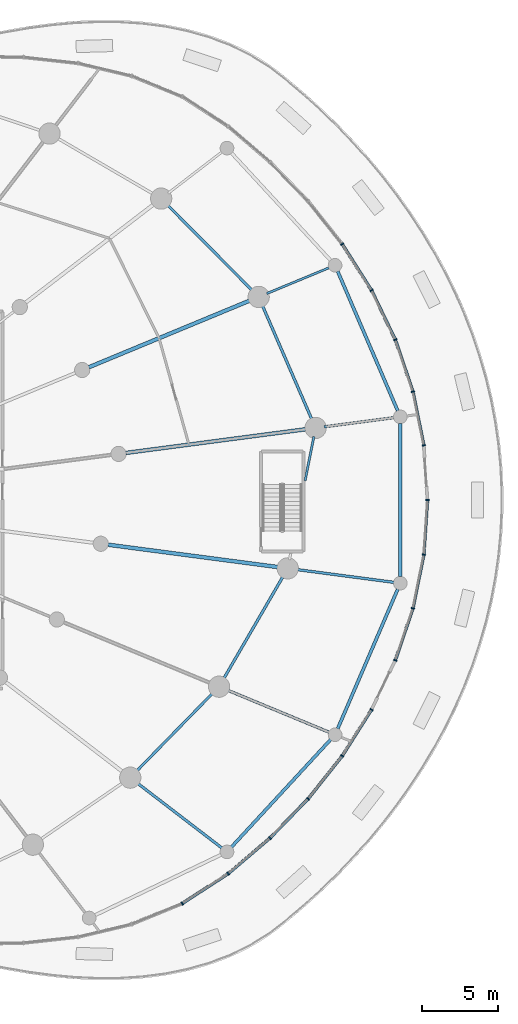
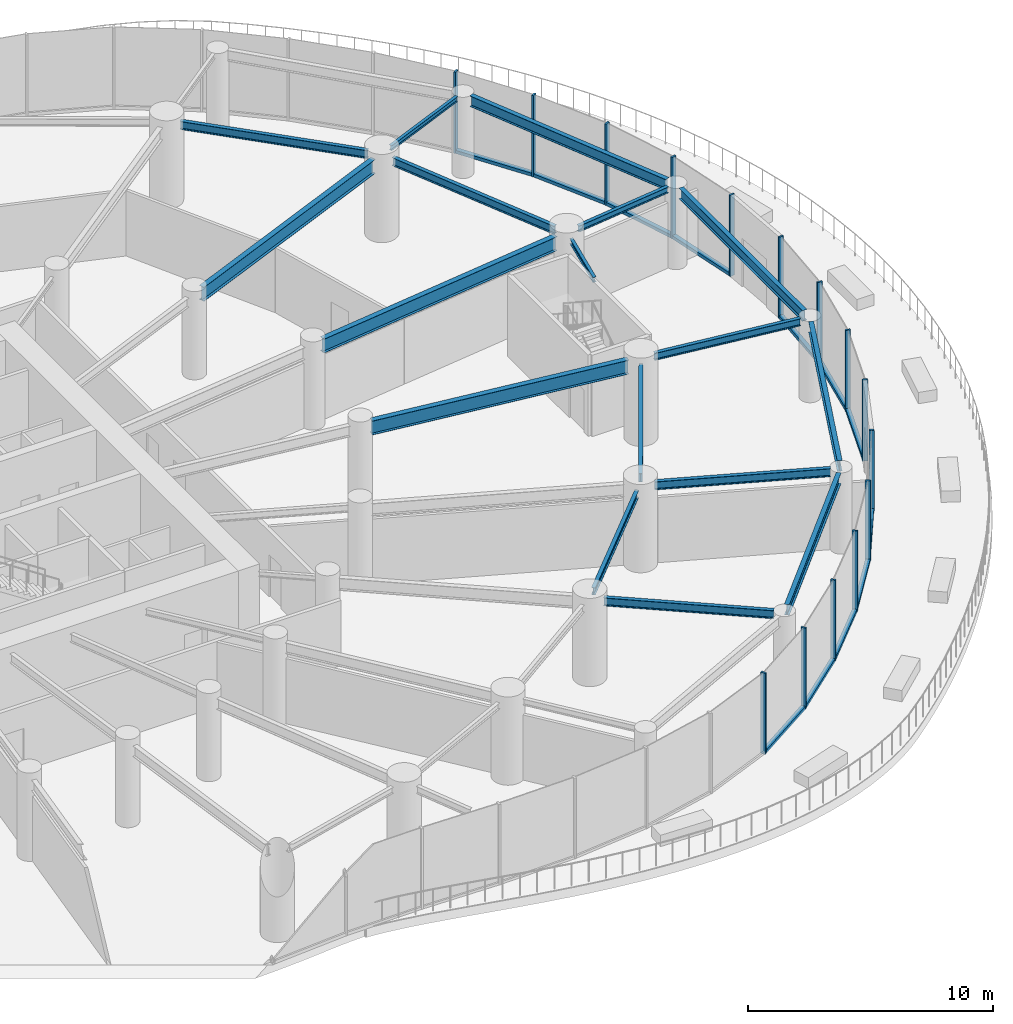
# One storey, part 6 of 19: 27 members, 17 beams, 3 elements without a shape of their own.
"""IFC4 building model written with IfcOpenShell, lengths in metres."""

from ifc_helpers import new_model, si_unit, direction, frame, origin, origin_2d, place, context, subcontext, project, spatial, rectangle, i_section, extrude, source, transform, mapped, material, layer, layer_set, material_profile, profile_set, type_object, element, aggregate, save


model = new_model("IFC4")

# Units and contexts
model_context = context("Model", 3, precision=1e-05, world=origin(), true_north=direction((0.0, 1.0)))
body_context = subcontext(model_context, "Body", "Model", "MODEL_VIEW")
ifc_project = project(units=[si_unit("LENGTHUNIT", "METRE"), si_unit("AREAUNIT", "SQUARE_METRE"), si_unit("VOLUMEUNIT", "CUBIC_METRE"), si_unit("PLANEANGLEUNIT", "RADIAN"), si_unit("MASSUNIT", "GRAM", prefix="KILO")], contexts=[model_context])

# Site, building, storey
site_placement = place(None, origin())
site = spatial("IfcSite", under=ifc_project, at=site_placement, CompositionType="ELEMENT")
building_placement = place(site_placement, origin())
building = spatial("IfcBuilding", under=site, at=building_placement, Name="Spindrift Exchange Tower", CompositionType="ELEMENT")
storey_placement = place(building_placement, frame((0.0, 0.0, 13.800048828125)))
storey = spatial("IfcBuildingStorey", under=building, at=storey_placement, Name="L03", CompositionType="ELEMENT", Elevation=13.800048828125)

# Beams
ifc_material_1 = material(Name="Steel Grade 300", Category="steel")
ifc_material_profile_1 = material_profile(ifc_material_1, i_section(OverallWidth=0.25, OverallDepth=0.699951171875, WebThickness=0.008056640625, FlangeThickness=0.011962890625, at=origin_2d()), Name="700WB115")
ifc_profile_set_1 = profile_set([ifc_material_profile_1], Name="Steel Grade 300")
beam_type_1 = type_object("IfcBeamType", Name="Floor Beam 700WB115 Steel Grade 300", PredefinedType="BEAM", material=ifc_profile_set_1)
shared_shape_1 = source(origin(), body_context, "Body", "SweptSolid", [
    extrude(i_section(OverallWidth=0.25, OverallDepth=0.699951171875, WebThickness=0.008056640625, FlangeThickness=0.011962890625, at=origin_2d()), origin(), (0.0, 0.0, 1.0), 12.00830078125),
])
beam_1_placement = place(storey_placement, frame((75.509765625, 51.09521484375, 3.699951171875), z_axis=(0.991444950947, 0.130525511844, 0.0), x_axis=(-0.130525511844, 0.991444950947, 0.0)))
element("IfcBeam", 1, at=beam_1_placement, inside=storey, type_object=beam_type_1, Name="L03 radial beam R01B", PredefinedType="BEAM", context=body_context, shape_type="MappedRepresentation", body=[
    mapped(shared_shape_1, transform((0.0, 0.0, 0.0), scale=1.0)),
])
ifc_material_profile_2 = material_profile(ifc_material_1, i_section(OverallWidth=0.1650390625, OverallDepth=0.303955078125, WebThickness=0.006103515625, FlangeThickness=0.01025390625, FilletRadius=0.011474609375, at=origin_2d()), Name="310UB40.4")
ifc_profile_set_2 = profile_set([ifc_material_profile_2], Name="Steel Grade 300")
beam_type_2 = type_object("IfcBeamType", Name="Floor Beam 310UB40.4 Steel Grade 300", PredefinedType="BEAM", material=ifc_profile_set_2)
shared_shape_2 = source(origin(), body_context, "Body", "SweptSolid", [
    extrude(i_section(OverallWidth=0.1650390625, OverallDepth=0.303955078125, WebThickness=0.006103515625, FlangeThickness=0.01025390625, FilletRadius=0.011474609375, at=origin_2d()), origin(), (0.0, 0.0, 1.0), 4.613037109375),
])
beam_2_placement = place(storey_placement, frame((88.5654296875, 52.81396484375, 3.89794921875), z_axis=(0.991446547774, 0.130513382096, 0.0), x_axis=(-0.130513382096, 0.991446547774, 0.0)))
element("IfcBeam", 2, at=beam_2_placement, inside=storey, type_object=beam_type_2, Name="L03 radial beam R01C1", PredefinedType="BEAM", context=body_context, shape_type="MappedRepresentation", body=[
    mapped(shared_shape_2, transform((0.0, 0.0, 0.0), scale=1.0)),
])
shared_shape_3 = source(origin(), body_context, "Body", "SweptSolid", [
    extrude(i_section(OverallWidth=0.25, OverallDepth=0.699951171875, WebThickness=0.008056640625, FlangeThickness=0.011962890625, at=origin_2d()), origin(), (0.0, 0.0, 1.0), 11.505859375),
])
beam_3_placement = place(storey_placement, frame((73.082763671875, 56.73291015625, 3.699951171875), z_axis=(0.923881578419, 0.38267849307, 0.0), x_axis=(-0.38267849307, 0.923881578419, 0.0)))
element("IfcBeam", 3, at=beam_3_placement, inside=storey, type_object=beam_type_1, Name="L03 radial beam R02B", PredefinedType="BEAM", context=body_context, shape_type="MappedRepresentation", body=[
    mapped(shared_shape_3, transform((0.0, 0.0, 0.0), scale=1.0)),
])
ifc_material_profile_3 = material_profile(ifc_material_1, i_section(OverallWidth=0.14599609375, OverallDepth=0.251953125, WebThickness=0.006103515625, FlangeThickness=0.008544921875, FilletRadius=0.011962890625, at=origin_2d()), Name="250UB31.4")
ifc_profile_set_3 = profile_set([ifc_material_profile_3], Name="Steel Grade 300")
beam_type_3 = type_object("IfcBeamType", Name="Floor Beam 250UB31.4 Steel Grade 300", PredefinedType="BEAM", material=ifc_profile_set_3)
shared_shape_4 = source(origin(), body_context, "Body", "SweptSolid", [
    extrude(i_section(OverallWidth=0.14599609375, OverallDepth=0.251953125, WebThickness=0.006103515625, FlangeThickness=0.008544921875, FilletRadius=0.011962890625, at=origin_2d()), origin(), (0.0, 0.0, 1.0), 4.429931640625),
])
beam_4_placement = place(storey_placement, frame((84.78466796875, 61.579833984375, 3.924072265625), z_axis=(0.923877119512, 0.382689257808, 0.0), x_axis=(-0.382689257808, 0.923877119512, 0.0)))
element("IfcBeam", 4, at=beam_4_placement, inside=storey, type_object=beam_type_3, Name="L03 radial beam R02C1", PredefinedType="BEAM", context=body_context, shape_type="MappedRepresentation", body=[
    mapped(shared_shape_4, transform((0.0, 0.0, 0.0), scale=1.0)),
])
shared_shape_5 = source(origin(), body_context, "Body", "SweptSolid", [
    extrude(i_section(OverallWidth=0.25, OverallDepth=0.699951171875, WebThickness=0.008056640625, FlangeThickness=0.011962890625, at=origin_2d()), origin(), (0.0, 0.0, 1.0), 11.34423828125),
])
beam_5_placement = place(storey_placement, frame((74.339111328125, 45.05908203125, 3.699951171875), z_axis=(0.991444770187, -0.130526884848, 0.0), x_axis=(0.130526884848, 0.991444770187, 0.0)))
element("IfcBeam", 5, at=beam_5_placement, inside=storey, type_object=beam_type_1, Name="L03 radial beam R24B", PredefinedType="BEAM", context=body_context, shape_type="MappedRepresentation", body=[
    mapped(shared_shape_5, transform((0.0, 0.0, 0.0), scale=1.0)),
])
ifc_material_profile_4 = material_profile(ifc_material_1, i_section(OverallWidth=0.177978515625, OverallDepth=0.406005859375, WebThickness=0.0078125, FlangeThickness=0.0126953125, FilletRadius=0.013916015625, at=origin_2d()), Name="410UB59.7")
ifc_profile_set_4 = profile_set([ifc_material_profile_4], Name="Steel Grade 300")
beam_type_4 = type_object("IfcBeamType", Name="Floor Beam 410UB59.7 Steel Grade 300", PredefinedType="BEAM", material=ifc_profile_set_4)
shared_shape_6 = source(origin(), body_context, "Body", "SweptSolid", [
    extrude(i_section(OverallWidth=0.177978515625, OverallDepth=0.406005859375, WebThickness=0.0078125, FlangeThickness=0.0126953125, FilletRadius=0.013916015625, at=origin_2d()), origin(), (0.0, 0.0, 1.0), 7.01171875),
])
beam_6_placement = place(storey_placement, frame((76.2607421875, 29.384033203125, 3.846923828125), z_axis=(0.79334569595, -0.608771391178, 0.0), x_axis=(0.608771391178, 0.79334569595, 0.0)))
element("IfcBeam", 6, at=beam_6_placement, inside=storey, type_object=beam_type_4, Name="L03 radial beam R22C1", PredefinedType="BEAM", context=body_context, shape_type="MappedRepresentation", body=[
    mapped(shared_shape_6, transform((0.0, 0.0, 0.0), scale=1.0)),
])
shared_shape_7 = source(origin(), body_context, "Body", "SweptSolid", [
    extrude(i_section(OverallWidth=0.177978515625, OverallDepth=0.406005859375, WebThickness=0.0078125, FlangeThickness=0.0126953125, FilletRadius=0.013916015625, at=origin_2d()), origin(), (0.0, 0.0, 1.0), 7.248779296875),
])
beam_7_placement = place(storey_placement, frame((82.180419921875, 35.498779296875, 3.846923828125), z_axis=(0.923883012274, -0.382675031368, 0.0), x_axis=(0.382675031368, 0.923883012274, 0.0)))
element("IfcBeam", 7, at=beam_7_placement, inside=storey, type_object=beam_type_4, Name="L03 radial beam R23C1", PredefinedType="BEAM", context=body_context, shape_type="MappedRepresentation", body=[
    mapped(shared_shape_7, transform((0.0, 0.0, 0.0), scale=1.0)),
])
ifc_material_profile_5 = material_profile(ifc_material_1, i_section(OverallWidth=0.172119140625, OverallDepth=0.35888671875, WebThickness=0.008056640625, FlangeThickness=0.012939453125, FilletRadius=0.013916015625, at=origin_2d()), Name="360UB56.7")
ifc_profile_set_5 = profile_set([ifc_material_profile_5], Name="Steel Grade 300")
beam_type_5 = type_object("IfcBeamType", Name="Floor Beam 360UB56.7 Steel Grade 300", PredefinedType="BEAM", material=ifc_profile_set_5)
shared_shape_8 = source(origin(), body_context, "Body", "SweptSolid", [
    extrude(i_section(OverallWidth=0.172119140625, OverallDepth=0.35888671875, WebThickness=0.008056640625, FlangeThickness=0.012939453125, FilletRadius=0.013916015625, at=origin_2d()), origin(), (0.0, 0.0, 1.0), 6.4580078125),
])
beam_8_placement = place(storey_placement, frame((86.736083984375, 43.427001953125, 3.870361328125), z_axis=(0.99144348369, -0.13053665634, 0.0), x_axis=(0.13053665634, 0.99144348369, 0.0)))
element("IfcBeam", 8, at=beam_8_placement, inside=storey, type_object=beam_type_5, Name="L03 radial beam R24C1", PredefinedType="BEAM", context=body_context, shape_type="MappedRepresentation", body=[
    mapped(shared_shape_8, transform((0.0, 0.0, 0.0), scale=1.0)),
])
ifc_material_profile_6 = material_profile(ifc_material_1, i_section(OverallWidth=0.177978515625, OverallDepth=0.406005859375, WebThickness=0.0078125, FlangeThickness=0.0126953125, FilletRadius=0.013916015625, at=origin_2d()), Name="410UB59.7")
ifc_profile_set_6 = profile_set([ifc_material_profile_6], Name="Steel Grade 300")
beam_type_6 = type_object("IfcBeamType", Name="Edge Beam 410UB59.7 Steel Grade 300", PredefinedType="SPANDREL", material=ifc_profile_set_6)
shared_shape_9 = source(origin(), body_context, "Body", "SweptSolid", [
    extrude(i_section(OverallWidth=0.177978515625, OverallDepth=0.406005859375, WebThickness=0.0078125, FlangeThickness=0.0126953125, FilletRadius=0.013916015625, at=origin_2d()), origin(), (0.0, 0.0, 1.0), 8.23681640625),
])
beam_9_placement = place(storey_placement, frame((87.759521484375, 53.270263671875, 3.846923828125), z_axis=(-0.398186298756, 0.91730456855, 0.0), x_axis=(-0.91730456855, -0.398186298756, 0.0)))
element("IfcBeam", 9, at=beam_9_placement, inside=storey, type_object=beam_type_6, Name="L03 edge beam E01", PredefinedType="SPANDREL", context=body_context, shape_type="MappedRepresentation", body=[
    mapped(shared_shape_9, transform((0.0, 0.0, 0.0), scale=1.0)),
])
shared_shape_10 = source(origin(), body_context, "Body", "SweptSolid", [
    extrude(i_section(OverallWidth=0.177978515625, OverallDepth=0.406005859375, WebThickness=0.0078125, FlangeThickness=0.0126953125, FilletRadius=0.013916015625, at=origin_2d()), origin(), (0.0, 0.0, 1.0), 7.947509765625),
])
beam_10_placement = place(storey_placement, frame((83.840576171875, 61.769775390625, 3.846923828125), z_axis=(-0.704197895271, 0.710003749494, 0.0), x_axis=(-0.710003749494, -0.704197895271, 0.0)))
element("IfcBeam", 10, at=beam_10_placement, inside=storey, type_object=beam_type_6, Name="L03 edge beam E02", PredefinedType="SPANDREL", context=body_context, shape_type="MappedRepresentation", body=[
    mapped(shared_shape_10, transform((0.0, 0.0, 0.0), scale=1.0)),
])
ifc_material_profile_7 = material_profile(ifc_material_1, i_section(OverallWidth=0.172119140625, OverallDepth=0.35888671875, WebThickness=0.008056640625, FlangeThickness=0.012939453125, FilletRadius=0.013916015625, at=origin_2d()), Name="360UB56.7")
ifc_profile_set_7 = profile_set([ifc_material_profile_7], Name="Steel Grade 300")
beam_type_7 = type_object("IfcBeamType", Name="Edge Beam 360UB56.7 Steel Grade 300", PredefinedType="SPANDREL", material=ifc_profile_set_7)
shared_shape_11 = source(origin(), body_context, "Body", "SweptSolid", [
    extrude(i_section(OverallWidth=0.172119140625, OverallDepth=0.35888671875, WebThickness=0.008056640625, FlangeThickness=0.012939453125, FilletRadius=0.013916015625, at=origin_2d()), origin(), (0.0, 0.0, 1.0), 7.2041015625),
])
beam_11_placement = place(storey_placement, frame((76.205810546875, 30.152099609375, 3.870361328125), z_axis=(0.698703626006, 0.715411240481, 0.0), x_axis=(-0.715411240481, 0.698703626006, 0.0)))
element("IfcBeam", 11, at=beam_11_placement, inside=storey, type_object=beam_type_7, Name="L03 edge beam E22", PredefinedType="SPANDREL", context=body_context, shape_type="MappedRepresentation", body=[
    mapped(shared_shape_11, transform((0.0, 0.0, 0.0), scale=1.0)),
])
shared_shape_12 = source(origin(), body_context, "Body", "SweptSolid", [
    extrude(i_section(OverallWidth=0.177978515625, OverallDepth=0.406005859375, WebThickness=0.0078125, FlangeThickness=0.0126953125, FilletRadius=0.013916015625, at=origin_2d()), origin(), (0.0, 0.0, 1.0), 7.837646484375),
])
beam_12_placement = place(storey_placement, frame((81.935791015625, 36.222412109375, 3.846923828125), z_axis=(0.50198145655, 0.864878382942, 0.0), x_axis=(-0.864878382942, 0.50198145655, 0.0)))
element("IfcBeam", 12, at=beam_12_placement, inside=storey, type_object=beam_type_6, Name="L03 edge beam E23", PredefinedType="SPANDREL", context=body_context, shape_type="MappedRepresentation", body=[
    mapped(shared_shape_12, transform((0.0, 0.0, 0.0), scale=1.0)),
])
ifc_material_profile_8 = material_profile(ifc_material_1, i_section(OverallWidth=0.14599609375, OverallDepth=0.251953125, WebThickness=0.006103515625, FlangeThickness=0.008544921875, FilletRadius=0.011962890625, at=origin_2d()), Name="250UB31.4")
ifc_profile_set_8 = profile_set([ifc_material_profile_8], Name="Steel Grade 300")
beam_type_8 = type_object("IfcBeamType", Name="Edge Beam 250UB31.4 Steel Grade 300", PredefinedType="SPANDREL", material=ifc_profile_set_8)
shared_shape_13 = source(origin(), body_context, "Body", "SweptSolid", [
    extrude(i_section(OverallWidth=0.14599609375, OverallDepth=0.251953125, WebThickness=0.006103515625, FlangeThickness=0.008544921875, FilletRadius=0.011962890625, at=origin_2d()), origin(), (0.0, 0.0, 1.0), 2.953369140625),
])
beam_13_placement = place(storey_placement, frame((87.303955078125, 49.27197265625, 3.924072265625), z_axis=(0.194255885589, 0.980950891184, 0.0), x_axis=(-0.980950891184, 0.194255885589, 0.0)))
element("IfcBeam", 13, at=beam_13_placement, inside=storey, type_object=beam_type_8, Name="L03 edge beam E24b", PredefinedType="SPANDREL", context=body_context, shape_type="MappedRepresentation", body=[
    mapped(shared_shape_13, transform((0.0, 0.0, 0.0), scale=1.0)),
])
ifc_material_profile_9 = material_profile(ifc_material_1, i_section(OverallWidth=0.208984375, OverallDepth=0.532958984375, WebThickness=0.01025390625, FlangeThickness=0.015625, FilletRadius=0.013916015625, at=origin_2d()), Name="530UB92.4")
ifc_profile_set_9 = profile_set([ifc_material_profile_9], Name="Steel Grade 300")
beam_type_9 = type_object("IfcBeamType", Name="Edge Beam 530UB92.4 Steel Grade 300", PredefinedType="SPANDREL", material=ifc_profile_set_9)
shared_shape_14 = source(origin(), body_context, "Body", "SweptSolid", [
    extrude(i_section(OverallWidth=0.208984375, OverallDepth=0.532958984375, WebThickness=0.01025390625, FlangeThickness=0.015625, FilletRadius=0.013916015625, at=origin_2d()), origin(), (0.0, 0.0, 1.0), 9.99169921875),
])
for number, where, z_axis, x_axis, name in (
    (14, (93.395263671875, 53.8671875, 3.783447265625), (-0.395396223699, 0.918510656598, 0.0), (-0.918510656598, -0.395396223699, 0.0), "L03 cascade edge beam G01"),
    (15, (89.444580078125, 32.955322265625, 3.783447265625), (0.395396223699, 0.918510656598, 0.0), (-0.918510656598, 0.395396223699, 0.0), "L03 cascade edge beam G23"),
):
    element("IfcBeam", number, at=place(storey_placement, frame(where, z_axis=z_axis, x_axis=x_axis)), inside=storey, type_object=beam_type_9, Name=name, PredefinedType="SPANDREL", context=body_context, shape_type="MappedRepresentation", body=[
        mapped(shared_shape_14, transform((0.0, 0.0, 0.0), scale=1.0)),
    ])
shared_shape_15 = source(origin(), body_context, "Body", "SweptSolid", [
    extrude(i_section(OverallWidth=0.208984375, OverallDepth=0.532958984375, WebThickness=0.01025390625, FlangeThickness=0.015625, FilletRadius=0.013916015625, at=origin_2d()), origin(), (0.0, 0.0, 1.0), 9.62548828125),
])
beam_14_placement = place(storey_placement, frame((82.456298828125, 25.169921875, 3.783447265625), z_axis=(0.678088348465, 0.734980402239, 0.0), x_axis=(-0.734980402239, 0.678088348465, 0.0)))
element("IfcBeam", 16, at=beam_14_placement, inside=storey, type_object=beam_type_9, Name="L03 cascade edge beam G22", PredefinedType="SPANDREL", context=body_context, shape_type="MappedRepresentation", body=[
    mapped(shared_shape_15, transform((0.0, 0.0, 0.0), scale=1.0)),
])
shared_shape_16 = source(origin(), body_context, "Body", "SweptSolid", [
    extrude(i_section(OverallWidth=0.208984375, OverallDepth=0.532958984375, WebThickness=0.01025390625, FlangeThickness=0.015625, FilletRadius=0.013916015625, at=origin_2d()), origin(), (0.0, 0.0, 1.0), 10.08447265625),
])
beam_15_placement = place(storey_placement, frame((93.565185546875, 42.957763671875, 3.783447265625), z_axis=(0.0, 1.0, 0.0), x_axis=(-1.0, 0.0, 0.0)))
element("IfcBeam", 17, at=beam_15_placement, inside=storey, type_object=beam_type_9, Name="L03 cascade edge beam G24", PredefinedType="SPANDREL", context=body_context, shape_type="MappedRepresentation", body=[
    mapped(shared_shape_16, transform((0.0, 0.0, 0.0), scale=1.0)),
])

# Curtain wall, member
ifc_material_2 = material(Name="Fritted laminated glass with bronze frame", Category="glass")
ifc_layer = layer(ifc_material_2, 0.219970703125)
ifc_layer_set = layer_set([ifc_layer], Name="PODIUM BRONZE GLAZED WALL")
curtain_wall_type = type_object("IfcCurtainWallType", Name="PODIUM BRONZE GLAZED WALL", PredefinedType="NOTDEFINED", material=ifc_layer_set)
curtain_wall_1_placement = place(storey_placement, origin())
curtain_wall_1 = element("IfcCurtainWall", 18, at=curtain_wall_1_placement, inside=storey, type_object=curtain_wall_type, Name="L03 Podium Bronze Glazed Wall run 10", PredefinedType="NOTDEFINED")
ifc_material_3 = material(Name="Bronze anodised aluminium", Category="aluminium")
ifc_material_profile_10 = material_profile(ifc_material_3, rectangle(XDim=0.199951171875, YDim=0.159912109375, at=origin_2d()), Name="PODIUM BRONZE GLAZED WALL TRANSOM 200X160")
ifc_profile_set_10 = profile_set([ifc_material_profile_10], Name="Bronze anodised aluminium")
member_type_1 = type_object("IfcMemberType", Name="PODIUM BRONZE GLAZED WALL TRANSOM 200X160", PredefinedType="USERDEFINED", material=ifc_profile_set_10)
shared_shape_17 = source(origin(), body_context, "Body", "SweptSolid", [
    extrude(rectangle(XDim=0.199951171875, YDim=0.159912109375, at=origin_2d()), origin(), (0.0, 0.0, 1.0), 3.510498046875),
])
member_1_placement = place(storey_placement, frame((79.257568359375, 21.488037109375, 0.079833984375), z_axis=(0.83922292963, 0.543787526873, 0.0), x_axis=(-0.543787526873, 0.83922292963, 0.0)))
member_1 = element("IfcMember", 19, at=member_1_placement, type_object=member_type_1, Name="L03 transom CW-P.55", ObjectType="TRANSOM", PredefinedType="USERDEFINED", context=body_context, shape_type="MappedRepresentation", body=[
    mapped(shared_shape_17, transform((0.0, 0.0, 0.0), scale=1.0)),
])

curtain_wall_2_placement = place(storey_placement, origin())
curtain_wall_2 = element("IfcCurtainWall", 20, at=curtain_wall_2_placement, inside=storey, type_object=curtain_wall_type, Name="L03 Podium Bronze Glazed Wall run 1", PredefinedType="NOTDEFINED")
shared_shape_18 = source(origin(), body_context, "Body", "SweptSolid", [
    extrude(rectangle(XDim=0.199951171875, YDim=0.159912109375, at=origin_2d()), origin(), (0.0, 0.0, 1.0), 3.513671875),
])
member_2_placement = place(storey_placement, frame((95.098388671875, 51.639892578125, 0.079833984375), z_axis=(-0.198026545252, 0.980196657501, 0.0), x_axis=(-0.980196657501, -0.198026545252, 0.0)))
member_2 = element("IfcMember", 21, at=member_2_placement, type_object=member_type_1, Name="L03 transom CW-P.2", ObjectType="TRANSOM", PredefinedType="USERDEFINED", context=body_context, shape_type="MappedRepresentation", body=[
    mapped(shared_shape_18, transform((0.0, 0.0, 0.0), scale=1.0)),
])

curtain_wall_3_placement = place(storey_placement, origin())
curtain_wall_3 = element("IfcCurtainWall", 22, at=curtain_wall_3_placement, inside=storey, type_object=curtain_wall_type, Name="L03 Podium Bronze Glazed Wall run 11", PredefinedType="NOTDEFINED")
member_3_placement = place(storey_placement, frame((94.402587890625, 40.916015625, 0.079833984375), z_axis=(0.198026545252, 0.980196657501, 0.0), x_axis=(-0.980196657501, 0.198026545252, 0.0)))
member_3 = element("IfcMember", 23, at=member_3_placement, type_object=member_type_1, Name="L03 transom CW-P.62", ObjectType="TRANSOM", PredefinedType="USERDEFINED", context=body_context, shape_type="MappedRepresentation", body=[
    mapped(shared_shape_18, transform((0.0, 0.0, 0.0), scale=1.0)),
])

# Member
ifc_material_profile_11 = material_profile(ifc_material_3, rectangle(XDim=0.090087890625, YDim=0.219970703125, at=origin_2d()), Name="PODIUM BRONZE GLAZED WALL MULLION 90X220")
ifc_profile_set_11 = profile_set([ifc_material_profile_11], Name="Bronze anodised aluminium")
member_type_2 = type_object("IfcMemberType", Name="PODIUM BRONZE GLAZED WALL MULLION 90X220", PredefinedType="MULLION", material=ifc_profile_set_11)
shared_shape_19 = source(origin(), body_context, "Body", "SweptSolid", [
    extrude(rectangle(XDim=0.090087890625, YDim=0.219970703125, at=origin_2d()), origin(), (0.0, 0.0, 1.0), 4.050048828125),
])
member_4_placement = place(storey_placement, frame((95.35009765625, 48.0, 0.0), z_axis=(0.0, 0.0, 1.0), x_axis=(0.0, 1.0, 0.0)))
member_4 = element("IfcMember", 24, at=member_4_placement, type_object=member_type_2, Name="L03 mullion CW-P.1", PredefinedType="MULLION", context=body_context, shape_type="MappedRepresentation", body=[
    mapped(shared_shape_19, transform((0.0, 0.0, 0.0), scale=1.0)),
])

member_5_placement = place(storey_placement, frame((95.107421875, 51.595703125, 0.0), z_axis=(0.0, 0.0, 1.0), x_axis=(-0.132966281067, 0.991120561839, 0.0)))
member_5 = element("IfcMember", 25, at=member_5_placement, type_object=member_type_2, Name="L03 mullion CW-P.2", PredefinedType="MULLION", context=body_context, shape_type="MappedRepresentation", body=[
    mapped(shared_shape_19, transform((0.0, 0.0, 0.0), scale=1.0)),
])

member_6_placement = place(storey_placement, frame((94.393798828125, 55.128173828125, 0.0), z_axis=(0.0, 0.0, 1.0), x_axis=(-0.260262598648, 0.965537870694, 0.0)))
member_6 = element("IfcMember", 26, at=member_6_placement, type_object=member_type_2, Name="L03 mullion CW-P.3", PredefinedType="MULLION", context=body_context, shape_type="MappedRepresentation", body=[
    mapped(shared_shape_19, transform((0.0, 0.0, 0.0), scale=1.0)),
])

member_7_placement = place(storey_placement, frame((93.235107421875, 58.541015625, 0.0), z_axis=(0.0, 0.0, 1.0), x_axis=(-0.378558940199, 0.925577186838, 0.0)))
member_7 = element("IfcMember", 27, at=member_7_placement, type_object=member_type_2, Name="L03 mullion CW-P.4", PredefinedType="MULLION", context=body_context, shape_type="MappedRepresentation", body=[
    mapped(shared_shape_19, transform((0.0, 0.0, 0.0), scale=1.0)),
])

member_8_placement = place(storey_placement, frame((91.669921875, 61.78759765625, 0.0), z_axis=(0.0, 0.0, 1.0), x_axis=(-0.485262561436, 0.874368484375, 0.0)))
member_8 = element("IfcMember", 28, at=member_8_placement, type_object=member_type_2, Name="L03 mullion CW-P.5", PredefinedType="MULLION", context=body_context, shape_type="MappedRepresentation", body=[
    mapped(shared_shape_19, transform((0.0, 0.0, 0.0), scale=1.0)),
])

member_9_placement = place(storey_placement, frame((89.74267578125, 64.833740234375, 0.0), z_axis=(0.0, 0.0, 1.0), x_axis=(-0.579314632982, 0.815104015456, 0.0)))
member_9 = element("IfcMember", 29, at=member_9_placement, type_object=member_type_2, Name="L03 mullion CW-P.6", PredefinedType="MULLION", context=body_context, shape_type="MappedRepresentation", body=[
    mapped(shared_shape_19, transform((0.0, 0.0, 0.0), scale=1.0)),
])

member_10_placement = place(storey_placement, frame((79.2197265625, 21.46337890625, 0.0), z_axis=(0.0, 0.0, 1.0), x_axis=(0.886306625338, 0.463098872685, 0.0)))
member_10 = element("IfcMember", 30, at=member_10_placement, type_object=member_type_2, Name="L03 mullion CW-P.55", PredefinedType="MULLION", context=body_context, shape_type="MappedRepresentation", body=[
    mapped(shared_shape_19, transform((0.0, 0.0, 0.0), scale=1.0)),
])

member_11_placement = place(storey_placement, frame((82.241455078125, 23.42138671875, 0.0), z_axis=(0.0, 0.0, 1.0), x_axis=(0.801869379039, 0.597499371514, 0.0)))
member_11 = element("IfcMember", 31, at=member_11_placement, type_object=member_type_2, Name="L03 mullion CW-P.56", PredefinedType="MULLION", context=body_context, shape_type="MappedRepresentation", body=[
    mapped(shared_shape_19, transform((0.0, 0.0, 0.0), scale=1.0)),
])

member_12_placement = place(storey_placement, frame((84.9853515625, 25.760009765625, 0.0), z_axis=(0.0, 0.0, 1.0), x_axis=(0.729992143356, 0.683455536695, 0.0)))
member_12 = element("IfcMember", 32, at=member_12_placement, type_object=member_type_2, Name="L03 mullion CW-P.57", PredefinedType="MULLION", context=body_context, shape_type="MappedRepresentation", body=[
    mapped(shared_shape_19, transform((0.0, 0.0, 0.0), scale=1.0)),
])

member_13_placement = place(storey_placement, frame((87.499267578125, 28.34423828125, 0.0), z_axis=(0.0, 0.0, 1.0), x_axis=(0.660622039744, 0.750718669413, 0.0)))
member_13 = element("IfcMember", 33, at=member_13_placement, type_object=member_type_2, Name="L03 mullion CW-P.58", PredefinedType="MULLION", context=body_context, shape_type="MappedRepresentation", body=[
    mapped(shared_shape_19, transform((0.0, 0.0, 0.0), scale=1.0)),
])

member_14_placement = place(storey_placement, frame((89.74267578125, 31.166259765625, 0.0), z_axis=(0.0, 0.0, 1.0), x_axis=(0.579314632982, 0.815104015456, 0.0)))
member_14 = element("IfcMember", 34, at=member_14_placement, type_object=member_type_2, Name="L03 mullion CW-P.59", PredefinedType="MULLION", context=body_context, shape_type="MappedRepresentation", body=[
    mapped(shared_shape_19, transform((0.0, 0.0, 0.0), scale=1.0)),
])

member_15_placement = place(storey_placement, frame((91.669921875, 34.21240234375, 0.0), z_axis=(0.0, 0.0, 1.0), x_axis=(0.485262561436, 0.874368484375, 0.0)))
member_15 = element("IfcMember", 35, at=member_15_placement, type_object=member_type_2, Name="L03 mullion CW-P.60", PredefinedType="MULLION", context=body_context, shape_type="MappedRepresentation", body=[
    mapped(shared_shape_19, transform((0.0, 0.0, 0.0), scale=1.0)),
])

member_16_placement = place(storey_placement, frame((93.235107421875, 37.458984375, 0.0), z_axis=(0.0, 0.0, 1.0), x_axis=(0.378558940199, 0.925577186838, 0.0)))
member_16 = element("IfcMember", 36, at=member_16_placement, type_object=member_type_2, Name="L03 mullion CW-P.61", PredefinedType="MULLION", context=body_context, shape_type="MappedRepresentation", body=[
    mapped(shared_shape_19, transform((0.0, 0.0, 0.0), scale=1.0)),
])

member_17_placement = place(storey_placement, frame((94.393798828125, 40.871826171875, 0.0), z_axis=(0.0, 0.0, 1.0), x_axis=(0.260262598648, 0.965537870694, 0.0)))
member_17 = element("IfcMember", 37, at=member_17_placement, type_object=member_type_2, Name="L03 mullion CW-P.62", PredefinedType="MULLION", context=body_context, shape_type="MappedRepresentation", body=[
    mapped(shared_shape_19, transform((0.0, 0.0, 0.0), scale=1.0)),
])

member_18_placement = place(storey_placement, frame((95.107421875, 44.404296875, 0.0), z_axis=(0.0, 0.0, 1.0), x_axis=(0.132966281067, 0.991120561839, 0.0)))
member_18 = element("IfcMember", 38, at=member_18_placement, type_object=member_type_2, Name="L03 mullion CW-P.63", PredefinedType="MULLION", context=body_context, shape_type="MappedRepresentation", body=[
    mapped(shared_shape_19, transform((0.0, 0.0, 0.0), scale=1.0)),
])

shared_shape_20 = source(origin(), body_context, "Body", "SweptSolid", [
    extrude(rectangle(XDim=0.199951171875, YDim=0.159912109375, at=origin_2d()), origin(), (0.0, 0.0, 1.0), 3.513916015625),
])
member_19_placement = place(storey_placement, frame((94.379150390625, 55.1708984375, 0.079833984375), z_axis=(-0.321413168365, 0.946939055696, 0.0), x_axis=(-0.946939055696, -0.321413168365, 0.0)))
member_19 = element("IfcMember", 39, at=member_19_placement, type_object=member_type_1, Name="L03 transom CW-P.3", ObjectType="TRANSOM", PredefinedType="USERDEFINED", context=body_context, shape_type="MappedRepresentation", body=[
    mapped(shared_shape_20, transform((0.0, 0.0, 0.0), scale=1.0)),
])

member_20_placement = place(storey_placement, frame((93.249755859375, 37.501708984375, 0.079833984375), z_axis=(0.321413168365, 0.946939055696, 0.0), x_axis=(-0.946939055696, 0.321413168365, 0.0)))
member_20 = element("IfcMember", 40, at=member_20_placement, type_object=member_type_1, Name="L03 transom CW-P.61", ObjectType="TRANSOM", PredefinedType="USERDEFINED", context=body_context, shape_type="MappedRepresentation", body=[
    mapped(shared_shape_20, transform((0.0, 0.0, 0.0), scale=1.0)),
])

member_21_placement = place(storey_placement, frame((95.1103515625, 44.44921875, 0.079833984375), z_axis=(0.06732600061, 0.99773103071, 0.0), x_axis=(-0.99773103071, 0.06732600061, 0.0)))
member_21 = element("IfcMember", 41, at=member_21_placement, type_object=member_type_1, Name="L03 transom CW-P.63", ObjectType="TRANSOM", PredefinedType="USERDEFINED", context=body_context, shape_type="MappedRepresentation", body=[
    mapped(shared_shape_20, transform((0.0, 0.0, 0.0), scale=1.0)),
])

aggregate(curtain_wall_3, [member_16, member_20, member_17, member_3, member_18, member_21])

shared_shape_21 = source(origin(), body_context, "Body", "SweptSolid", [
    extrude(rectangle(XDim=0.199951171875, YDim=0.159912109375, at=origin_2d()), origin(), (0.0, 0.0, 1.0), 3.51416015625),
])
member_22_placement = place(storey_placement, frame((93.215576171875, 58.58154296875, 0.079833984375), z_axis=(-0.434273014181, 0.900781299292, 0.0), x_axis=(-0.900781299292, -0.434273014181, 0.0)))
member_22 = element("IfcMember", 42, at=member_22_placement, type_object=member_type_1, Name="L03 transom CW-P.4", ObjectType="TRANSOM", PredefinedType="USERDEFINED", context=body_context, shape_type="MappedRepresentation", body=[
    mapped(shared_shape_21, transform((0.0, 0.0, 0.0), scale=1.0)),
])

shared_shape_22 = source(origin(), body_context, "Body", "SweptSolid", [
    extrude(rectangle(XDim=0.199951171875, YDim=0.159912109375, at=origin_2d()), origin(), (0.0, 0.0, 1.0), 3.5146484375),
])
member_23_placement = place(storey_placement, frame((91.64599609375, 61.82568359375, 0.079833984375), z_axis=(-0.534680184919, 0.845054495198, 0.0), x_axis=(-0.845054495198, -0.534680184919, 0.0)))
member_23 = element("IfcMember", 43, at=member_23_placement, type_object=member_type_1, Name="L03 transom CW-P.5", ObjectType="TRANSOM", PredefinedType="USERDEFINED", context=body_context, shape_type="MappedRepresentation", body=[
    mapped(shared_shape_22, transform((0.0, 0.0, 0.0), scale=1.0)),
])

aggregate(curtain_wall_2, [member_4, member_5, member_2, member_6, member_19, member_7, member_22, member_8, member_23, member_9])

member_24_placement = place(storey_placement, frame((89.766845703125, 31.204345703125, 0.079833984375), z_axis=(0.534680184919, 0.845054495198, 0.0), x_axis=(-0.845054495198, 0.534680184919, 0.0)))
member_24 = element("IfcMember", 44, at=member_24_placement, type_object=member_type_1, Name="L03 transom CW-P.59", ObjectType="TRANSOM", PredefinedType="USERDEFINED", context=body_context, shape_type="MappedRepresentation", body=[
    mapped(shared_shape_22, transform((0.0, 0.0, 0.0), scale=1.0)),
])

shared_shape_23 = source(origin(), body_context, "Body", "SweptSolid", [
    extrude(rectangle(XDim=0.199951171875, YDim=0.159912109375, at=origin_2d()), origin(), (0.0, 0.0, 1.0), 3.514892578125),
])
member_25_placement = place(storey_placement, frame((87.52734375, 28.37939453125, 0.079833984375), z_axis=(0.622277958687, 0.782796360577, 0.0), x_axis=(-0.782796360577, 0.622277958687, 0.0)))
member_25 = element("IfcMember", 45, at=member_25_placement, type_object=member_type_1, Name="L03 transom CW-P.58", ObjectType="TRANSOM", PredefinedType="USERDEFINED", context=body_context, shape_type="MappedRepresentation", body=[
    mapped(shared_shape_23, transform((0.0, 0.0, 0.0), scale=1.0)),
])

shared_shape_24 = source(origin(), body_context, "Body", "SweptSolid", [
    extrude(rectangle(XDim=0.199951171875, YDim=0.159912109375, at=origin_2d()), origin(), (0.0, 0.0, 1.0), 3.515380859375),
])
member_26_placement = place(storey_placement, frame((82.275634765625, 23.45068359375, 0.079833984375), z_axis=(0.761087031904, 0.64864977443, 0.0), x_axis=(-0.64864977443, 0.761087031904, 0.0)))
member_26 = element("IfcMember", 46, at=member_26_placement, type_object=member_type_1, Name="L03 transom CW-P.56", ObjectType="TRANSOM", PredefinedType="USERDEFINED", context=body_context, shape_type="MappedRepresentation", body=[
    mapped(shared_shape_24, transform((0.0, 0.0, 0.0), scale=1.0)),
])

member_27_placement = place(storey_placement, frame((85.016845703125, 25.792236328125, 0.079833984375), z_axis=(0.697281674947, 0.716797227801, 0.0), x_axis=(-0.716797227801, 0.697281674947, 0.0)))
member_27 = element("IfcMember", 47, at=member_27_placement, type_object=member_type_1, Name="L03 transom CW-P.57", ObjectType="TRANSOM", PredefinedType="USERDEFINED", context=body_context, shape_type="MappedRepresentation", body=[
    mapped(shared_shape_24, transform((0.0, 0.0, 0.0), scale=1.0)),
])

aggregate(curtain_wall_1, [member_10, member_1, member_11, member_26, member_12, member_27, member_13, member_25, member_14, member_24, member_15])

save(model, "model.ifc")
